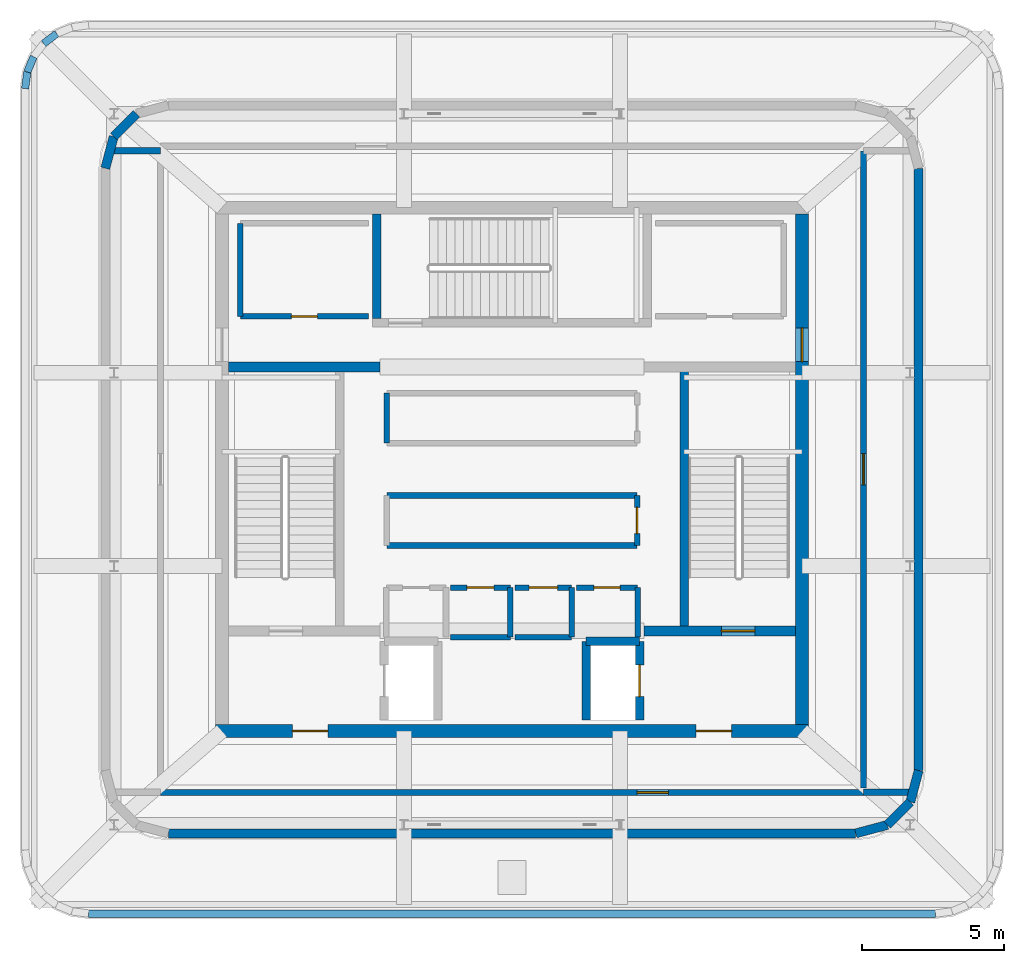
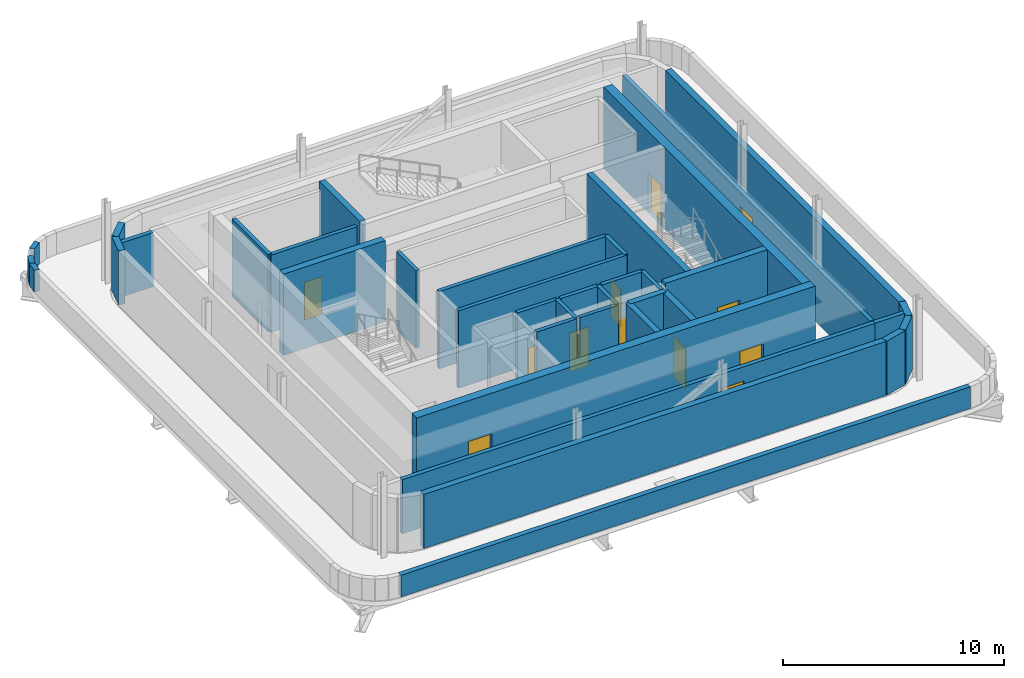
# One storey, part 3 of 5: 38 walls, 12 doors, 12 openings.
"""IFC4 building model written with IfcOpenShell, lengths in metres."""

from ifc_helpers import new_model, si_unit, direction, frame, frame_2d, origin, place, context, subcontext, project, spatial, rectangle, extrude, material, layer, layer_set, type_object, element, fill, save


model = new_model("IFC4")

# Units and contexts
model_context = context("Model", 3, precision=1e-05, world=origin(), true_north=direction((0.0, 1.0)))
body_context = subcontext(model_context, "Body", "Model", "MODEL_VIEW")
ifc_project = project(units=[si_unit("LENGTHUNIT", "METRE"), si_unit("AREAUNIT", "SQUARE_METRE"), si_unit("VOLUMEUNIT", "CUBIC_METRE"), si_unit("PLANEANGLEUNIT", "RADIAN"), si_unit("MASSUNIT", "GRAM", prefix="KILO")], contexts=[model_context])

# Site, building, storey
site_placement = place(None, origin())
site = spatial("IfcSite", under=ifc_project, at=site_placement, CompositionType="ELEMENT")
building_placement = place(site_placement, origin())
building = spatial("IfcBuilding", under=site, at=building_placement, Name="Punatoya Terracotta Tower", CompositionType="ELEMENT")
storey_placement = place(building_placement, frame((0.0, 0.0, 361.800048828125)))
storey = spatial("IfcBuildingStorey", under=building, at=storey_placement, Name="L85", CompositionType="ELEMENT", Elevation=361.800048828125)

# Wall, openings, doors
ifc_material_1 = material(Name="Concrete C50/60", Category="concrete")
ifc_layer_1 = layer(ifc_material_1, 0.449951171875)
ifc_layer_set_1 = layer_set([ifc_layer_1], Name="Concrete C50/60")
wall_type_1 = type_object("IfcWallType", Name="WL-COR-450", PredefinedType="SHEAR", material=ifc_layer_set_1)
wall_1_placement = place(storey_placement, frame((10.425048828125, -9.199951171875, 0.0), z_axis=(0.0, 0.0, 1.0), x_axis=(-1.0, 0.0, 0.0)))
wall_1 = element("IfcWall", 1, at=wall_1_placement, inside=storey, type_object=wall_type_1, Name="L85 Core Shear Wall S", PredefinedType="SHEAR", context=body_context, shape_type="SweptSolid", body=[
    extrude(rectangle(XDim=20.85009765625, YDim=0.449951171875, at=frame_2d((10.425048828125, 0.0))), origin(), (0.0, 0.0, 1.0), 4.5),
])
opening_1_placement = place(wall_1_placement, frame((2.699951171875, 0.0, 0.0)))
opening_1 = element("IfcOpeningElement", 2, at=opening_1_placement, cuts=wall_1, Name="Opening FD-L1", PredefinedType="OPENING", context=body_context, shape_type="SweptSolid", body=[
    extrude(rectangle(XDim=1.25, YDim=2.25, at=frame_2d((0.625, 1.125))), frame((0.0, 0.23486328125, 0.0), z_axis=(0.0, -1.0, 0.0), x_axis=(1.0, 0.0, 0.0)), (0.0, 0.0, 1.0), 0.469970703125),
])
opening_2_placement = place(wall_1_placement, frame((16.89990234375, 0.0, 0.0)))
opening_2 = element("IfcOpeningElement", 3, at=opening_2_placement, cuts=wall_1, Name="Opening FD-L1", PredefinedType="OPENING", context=body_context, shape_type="SweptSolid", body=[
    extrude(rectangle(XDim=1.25, YDim=2.25, at=frame_2d((0.625, 1.125))), frame((0.0, 0.23486328125, 0.0), z_axis=(0.0, -1.0, 0.0), x_axis=(1.0, 0.0, 0.0)), (0.0, 0.0, 1.0), 0.469970703125),
])
ifc_material_2 = material(Name="Galvanised Steel Smokeproof Fire Door", Category="steel")
door_type_1 = type_object("IfcDoorType", Name="DR-FFL-1250", OperationType="NOTDEFINED", PredefinedType="DOOR", material=ifc_material_2)
door_1_placement = place(opening_1_placement, origin())
door_1 = element("IfcDoor", 4, at=door_1_placement, inside=storey, type_object=door_type_1, Name="L85 East Firefighting Lobby Corridor Fire Door", OperationType="SINGLE_SWING_LEFT", OverallHeight=2.25, OverallWidth=1.25, PredefinedType="DOOR", context=body_context, shape_type="SweptSolid", body=[
    extrude(rectangle(XDim=1.25, YDim=2.25, at=frame_2d((0.625, 1.125))), frame((0.0, 0.02490234375, 0.0), z_axis=(0.0, -1.0, 0.0), x_axis=(1.0, 0.0, 0.0)), (0.0, 0.0, 1.0), 0.050048828125),
])
fill(opening_1, door_1)
door_2_placement = place(opening_2_placement, origin())
door_2 = element("IfcDoor", 5, at=door_2_placement, inside=storey, type_object=door_type_1, Name="L85 West Firefighting Lobby Corridor Fire Door", OperationType="SINGLE_SWING_RIGHT", OverallHeight=2.25, OverallWidth=1.25, PredefinedType="DOOR", context=body_context, shape_type="SweptSolid", body=[
    extrude(rectangle(XDim=1.25, YDim=2.25, at=frame_2d((0.625, 1.125))), frame((0.0, 0.02490234375, 0.0), z_axis=(0.0, -1.0, 0.0), x_axis=(1.0, 0.0, 0.0)), (0.0, 0.0, 1.0), 0.050048828125),
])
fill(opening_2, door_2)

# Wall, opening, door
wall_2_placement = place(storey_placement, frame((10.199951171875, 8.97509765625, 0.0), z_axis=(0.0, 0.0, 1.0), x_axis=(0.0, -1.0, 0.0)))
wall_2 = element("IfcWall", 6, at=wall_2_placement, inside=storey, type_object=wall_type_1, Name="L85 Core Shear Wall E", PredefinedType="SHEAR", context=body_context, shape_type="SweptSolid", body=[
    extrude(rectangle(XDim=17.9501953125, YDim=0.449951171875, at=frame_2d((8.97509765625, 0.0))), origin(), (0.0, 0.0, 1.0), 4.5),
])
opening_3_placement = place(wall_2_placement, frame((4.0048828125, 0.0, 0.0)))
opening_3 = element("IfcOpeningElement", 7, at=opening_3_placement, cuts=wall_2, Name="Opening SD-01", PredefinedType="OPENING", context=body_context, shape_type="SweptSolid", body=[
    extrude(rectangle(XDim=1.179931640625, YDim=2.199951171875, at=frame_2d((0.58984375, 1.10009765625))), frame((0.0, 0.23486328125, 0.0), z_axis=(0.0, -1.0, 0.0), x_axis=(1.0, 0.0, 0.0)), (0.0, 0.0, 1.0), 0.469970703125),
])
ifc_material_3 = material(Name="Galvanised Steel Pressurized Stair Fire Door", Category="steel")
door_type_2 = type_object("IfcDoorType", Name="DR-STR-1180", OperationType="NOTDEFINED", PredefinedType="DOOR", material=ifc_material_3)
door_3_placement = place(opening_3_placement, origin())
door_3 = element("IfcDoor", 8, at=door_3_placement, inside=storey, type_object=door_type_2, Name="L85 Central Lift Lobby East Fire Door", OperationType="SINGLE_SWING_RIGHT", OverallHeight=2.199951171875, OverallWidth=1.179931640625, PredefinedType="DOOR", context=body_context, shape_type="SweptSolid", body=[
    extrude(rectangle(XDim=1.179931640625, YDim=2.199951171875, at=frame_2d((0.58984375, 1.10009765625))), frame((0.0, 0.02490234375, 0.0), z_axis=(0.0, -1.0, 0.0), x_axis=(1.0, 0.0, 0.0)), (0.0, 0.0, 1.0), 0.050048828125),
])
fill(opening_3, door_3)

# Walls
ifc_material_4 = material(Name="Precast concrete C40/50", Category="concrete")
ifc_layer_2 = layer(ifc_material_4, 0.320068359375)
ifc_layer_set_2 = layer_set([ifc_layer_2], Name="Precast concrete C40/50")
wall_type_2 = type_object("IfcWallType", Name="WL-EXT-320", PredefinedType="SOLIDWALL", material=ifc_layer_set_2)
wall_3_placement = place(storey_placement, frame((-12.0869140625, -12.800048828125, 0.0), z_axis=(0.0, 0.0, 1.0), x_axis=(1.0, 0.0, 0.0)))
element("IfcWall", 9, at=wall_3_placement, inside=storey, type_object=wall_type_2, Name="L85 Terracotta Louvre Plant Enclosure S", PredefinedType="SOLIDWALL", context=body_context, shape_type="SweptSolid", body=[
    extrude(rectangle(XDim=24.173828125, YDim=0.320068359375, at=frame_2d((12.0869140625, 0.0))), origin(), (0.0, 0.0, 1.0), 2.993896484375),
])
wall_4_placement = place(storey_placement, frame((12.0869140625, -12.800048828125, 0.0), z_axis=(0.0, 0.0, 1.0), x_axis=(0.966336954372, 0.25727979053, 0.0)))
element("IfcWall", 10, at=wall_4_placement, inside=storey, type_object=wall_type_2, Name="L85 Rounded Terracotta Corner Pier 02", PredefinedType="SOLIDWALL", context=body_context, shape_type="SweptSolid", body=[
    extrude(rectangle(XDim=1.151123046875, YDim=0.320068359375, at=frame_2d((0.57568359375, 0.0))), origin(), (0.0, 0.0, 1.0), 2.993896484375),
])
wall_5_placement = place(storey_placement, frame((13.19921875, -12.50390625, 0.0), z_axis=(0.0, 0.0, 1.0), x_axis=(0.707106781187, 0.707106781187, 0.0)))
element("IfcWall", 11, at=wall_5_placement, inside=storey, type_object=wall_type_2, Name="L85 Rounded Terracotta Corner Pier 03", PredefinedType="SOLIDWALL", context=body_context, shape_type="SweptSolid", body=[
    extrude(rectangle(XDim=1.137939453125, YDim=0.320068359375, at=frame_2d((0.56884765625, 0.0))), origin(), (0.0, 0.0, 1.0), 2.993896484375),
])
wall_6_placement = place(storey_placement, frame((14.00390625, -11.69921875, 0.0), z_axis=(0.0, 0.0, 1.0), x_axis=(0.25727979053, 0.966336954372, 0.0)))
element("IfcWall", 12, at=wall_6_placement, inside=storey, type_object=wall_type_2, Name="L85 Rounded Terracotta Corner Pier 04", PredefinedType="SOLIDWALL", context=body_context, shape_type="SweptSolid", body=[
    extrude(rectangle(XDim=1.151123046875, YDim=0.320068359375, at=frame_2d((0.57568359375, 0.0))), origin(), (0.0, 0.0, 1.0), 2.993896484375),
])
wall_7_placement = place(storey_placement, frame((14.300048828125, -10.5869140625, 0.0), z_axis=(0.0, 0.0, 1.0), x_axis=(0.0, 1.0, 0.0)))
element("IfcWall", 13, at=wall_7_placement, inside=storey, type_object=wall_type_2, Name="L85 Terracotta Louvre Plant Enclosure E", PredefinedType="SOLIDWALL", context=body_context, shape_type="SweptSolid", body=[
    extrude(rectangle(XDim=21.173828125, YDim=0.320068359375, at=frame_2d((10.5869140625, 0.0))), origin(), (0.0, 0.0, 1.0), 2.993896484375),
])
wall_8_placement = place(storey_placement, frame((-13.19921875, 12.50390625, 0.0), z_axis=(0.0, 0.0, 1.0), x_axis=(-0.707106781187, -0.707106781187, 0.0)))
element("IfcWall", 14, at=wall_8_placement, inside=storey, type_object=wall_type_2, Name="L85 Rounded Terracotta Corner Pier 11", PredefinedType="SOLIDWALL", context=body_context, shape_type="SweptSolid", body=[
    extrude(rectangle(XDim=1.137939453125, YDim=0.320068359375, at=frame_2d((0.56884765625, 0.0))), origin(), (0.0, 0.0, 1.0), 2.993896484375),
])
wall_9_placement = place(storey_placement, frame((-14.00390625, 11.69921875, 0.0), z_axis=(0.0, 0.0, 1.0), x_axis=(-0.25727979053, -0.966336954372, 0.0)))
element("IfcWall", 15, at=wall_9_placement, inside=storey, type_object=wall_type_2, Name="L85 Rounded Terracotta Corner Pier 12", PredefinedType="SOLIDWALL", context=body_context, shape_type="SweptSolid", body=[
    extrude(rectangle(XDim=1.151123046875, YDim=0.320068359375, at=frame_2d((0.57568359375, 0.0))), origin(), (0.0, 0.0, 1.0), 2.993896484375),
])

# Wall, opening, door
ifc_material_5 = material(Name="Concrete C40/50", Category="concrete")
ifc_layer_3 = layer(ifc_material_5, 0.219970703125)
ifc_layer_set_3 = layer_set([ifc_layer_3], Name="Concrete C40/50")
wall_type_3 = type_object("IfcWallType", Name="WL-FIR-220", PredefinedType="SOLIDWALL", material=ifc_layer_set_3)
wall_10_placement = place(storey_placement, frame((-12.360107421875, -11.360107421875, 0.0), z_axis=(0.0, 0.0, 1.0), x_axis=(1.0, 0.0, 0.0)))
wall_10 = element("IfcWall", 16, at=wall_10_placement, inside=storey, type_object=wall_type_3, Name="L85 Crown South Heat-Rejection and Cooling-Tower Plant Partition 27", PredefinedType="SOLIDWALL", context=body_context, shape_type="SweptSolid", body=[
    extrude(rectangle(XDim=24.72021484375, YDim=0.219970703125, at=frame_2d((12.360107421875, 0.0))), origin(), (0.0, 0.0, 1.0), 2.993896484375),
])
opening_4_placement = place(wall_10_placement, frame((16.760009765625, 0.0, 0.0)))
opening_4 = element("IfcOpeningElement", 17, at=opening_4_placement, cuts=wall_10, Name="Opening FD-P1", PredefinedType="OPENING", context=body_context, shape_type="SweptSolid", body=[
    extrude(rectangle(XDim=1.10009765625, YDim=2.199951171875, at=frame_2d((0.550048828125, 1.10009765625))), frame((0.0, 0.119873046875, 0.0), z_axis=(0.0, -1.0, 0.0), x_axis=(1.0, 0.0, 0.0)), (0.0, 0.0, 1.0), 0.239990234375),
])
ifc_material_6 = material(Name="Galvanised Steel Plant Fire Door", Category="steel")
door_type_3 = type_object("IfcDoorType", Name="DR-PLT-1100", OperationType="NOTDEFINED", PredefinedType="DOOR", material=ifc_material_6)
door_4_placement = place(opening_4_placement, origin())
door_4 = element("IfcDoor", 18, at=door_4_placement, inside=storey, type_object=door_type_3, Name="L85 Crown South Heat-Rejection and Cooling-Tower Plant Fire Door", OperationType="SINGLE_SWING_LEFT", OverallHeight=2.199951171875, OverallWidth=1.10009765625, PredefinedType="DOOR", context=body_context, shape_type="SweptSolid", body=[
    extrude(rectangle(XDim=1.10009765625, YDim=2.199951171875, at=frame_2d((0.550048828125, 1.10009765625))), frame((0.0, 0.02490234375, 0.0), z_axis=(0.0, -1.0, 0.0), x_axis=(1.0, 0.0, 0.0)), (0.0, 0.0, 1.0), 0.050048828125),
])
fill(opening_4, door_4)

# Walls
wall_11_placement = place(storey_placement, frame((12.360107421875, -11.35009765625, 0.0), z_axis=(0.0, 0.0, 1.0), x_axis=(1.0, 0.0, 0.0)))
element("IfcWall", 19, at=wall_11_placement, inside=storey, type_object=wall_type_3, Name="L85 Crown South Heat-Rejection and Cooling-Tower Plant Partition 28", PredefinedType="SOLIDWALL", context=body_context, shape_type="SweptSolid", body=[
    extrude(rectangle(XDim=1.7666015625, YDim=0.219970703125, at=frame_2d((0.88330078125, 0.0))), origin(), (0.0, 0.0, 1.0), 2.993896484375),
])
wall_12_placement = place(storey_placement, frame((-14.18896484375, 11.199951171875, 0.0), z_axis=(0.0, 0.0, 1.0), x_axis=(1.0, 0.0, 0.0)))
element("IfcWall", 20, at=wall_12_placement, inside=storey, type_object=wall_type_3, Name="L85 Crown West Smoke-Extract and Fan Plant Room Partition 29", PredefinedType="SOLIDWALL", context=body_context, shape_type="SweptSolid", body=[
    extrude(rectangle(XDim=1.828857421875, YDim=0.219970703125, at=frame_2d((0.91455078125, 0.0))), origin(), (0.0, 0.0, 1.0), 2.993896484375),
])

# Wall, opening, door
wall_13_placement = place(storey_placement, frame((12.360107421875, -11.199951171875, 0.0), z_axis=(0.0, 0.0, 1.0), x_axis=(0.0, 1.0, 0.0)))
wall_13 = element("IfcWall", 21, at=wall_13_placement, inside=storey, type_object=wall_type_3, Name="L85 Crown East Lift Machine and BMS Control Plant Partition 31", PredefinedType="SOLIDWALL", context=body_context, shape_type="SweptSolid", body=[
    extrude(rectangle(XDim=22.39990234375, YDim=0.219970703125, at=frame_2d((11.199951171875, 0.0))), origin(), (0.0, 0.0, 1.0), 2.993896484375),
])
opening_5_placement = place(wall_13_placement, frame((10.64990234375, 0.0, 0.0)))
opening_5 = element("IfcOpeningElement", 22, at=opening_5_placement, cuts=wall_13, Name="Opening FD-P1", PredefinedType="OPENING", context=body_context, shape_type="SweptSolid", body=[
    extrude(rectangle(XDim=1.10009765625, YDim=2.199951171875, at=frame_2d((0.550048828125, 1.10009765625))), frame((0.0, 0.119873046875, 0.0), z_axis=(0.0, -1.0, 0.0), x_axis=(1.0, 0.0, 0.0)), (0.0, 0.0, 1.0), 0.239990234375),
])
door_5_placement = place(opening_5_placement, origin())
door_5 = element("IfcDoor", 23, at=door_5_placement, inside=storey, type_object=door_type_3, Name="L85 Crown East Lift Machine and BMS Control Plant Fire Door", OperationType="SINGLE_SWING_LEFT", OverallHeight=2.199951171875, OverallWidth=1.10009765625, PredefinedType="DOOR", context=body_context, shape_type="SweptSolid", body=[
    extrude(rectangle(XDim=1.10009765625, YDim=2.199951171875, at=frame_2d((0.550048828125, 1.10009765625))), frame((0.0, 0.02490234375, 0.0), z_axis=(0.0, -1.0, 0.0), x_axis=(1.0, 0.0, 0.0)), (0.0, 0.0, 1.0), 0.050048828125),
])
fill(opening_5, door_5)

# Wall
ifc_layer_4 = layer(ifc_material_5, 0.199951171875)
ifc_layer_set_4 = layer_set([ifc_layer_4], Name="Concrete C40/50")
wall_type_4 = type_object("IfcWallType", Name="WL-INT-200", PredefinedType="SOLIDWALL", material=ifc_layer_set_4)
wall_14_placement = place(storey_placement, frame((-0.06005859375, -5.89990234375, 0.0), z_axis=(0.0, 0.0, 1.0), x_axis=(0.0, 1.0, 0.0)))
element("IfcWall", 24, at=wall_14_placement, inside=storey, type_object=wall_type_4, Name="L85 Staff Female Washroom Partition 04", PredefinedType="SOLIDWALL", context=body_context, shape_type="SweptSolid", body=[
    extrude(rectangle(XDim=1.739990234375, YDim=0.199951171875, at=frame_2d((0.8701171875, 0.0))), origin(), (0.0, 0.0, 1.0), 4.280029296875),
])

# Wall, opening, door
wall_15_placement = place(storey_placement, frame((-0.06005859375, -4.159912109375, 0.0), z_axis=(0.0, 0.0, 1.0), x_axis=(-1.0, 0.0, 0.0)))
wall_15 = element("IfcWall", 25, at=wall_15_placement, inside=storey, type_object=wall_type_4, Name="L85 Staff Female Washroom Partition 05", PredefinedType="SOLIDWALL", context=body_context, shape_type="SweptSolid", body=[
    extrude(rectangle(XDim=2.099853515625, YDim=0.199951171875, at=frame_2d((1.0498046875, 0.0))), origin(), (0.0, 0.0, 1.0), 4.280029296875),
])
opening_6_placement = place(wall_15_placement, frame((0.574951171875, 0.0, 0.0)))
opening_6 = element("IfcOpeningElement", 26, at=opening_6_placement, cuts=wall_15, Name="Opening WD-01", PredefinedType="OPENING", context=body_context, shape_type="SweptSolid", body=[
    extrude(rectangle(XDim=0.949951171875, YDim=2.14990234375, at=frame_2d((0.47509765625, 1.074951171875))), frame((0.0, 0.10986328125, 0.0), z_axis=(0.0, -1.0, 0.0), x_axis=(1.0, 0.0, 0.0)), (0.0, 0.0, 1.0), 0.219970703125),
])
ifc_material_7 = material(Name="Moisture-Resistant Laminate Timber Leaf", Category="wood")
door_type_4 = type_object("IfcDoorType", Name="DR-WC-950", OperationType="NOTDEFINED", PredefinedType="DOOR", material=ifc_material_7)
door_6_placement = place(opening_6_placement, origin())
door_6 = element("IfcDoor", 27, at=door_6_placement, inside=storey, type_object=door_type_4, Name="L85 Staff Female Washroom Door", OperationType="SINGLE_SWING_RIGHT", OverallHeight=2.14990234375, OverallWidth=0.949951171875, PredefinedType="DOOR", context=body_context, shape_type="SweptSolid", body=[
    extrude(rectangle(XDim=0.949951171875, YDim=2.14990234375, at=frame_2d((0.47509765625, 1.074951171875))), frame((0.0, 0.02490234375, 0.0), z_axis=(0.0, -1.0, 0.0), x_axis=(1.0, 0.0, 0.0)), (0.0, 0.0, 1.0), 0.050048828125),
])
fill(opening_6, door_6)

# Walls
wall_16_placement = place(storey_placement, frame((-2.159912109375, -5.89990234375, 0.0), z_axis=(0.0, 0.0, 1.0), x_axis=(1.0, 0.0, 0.0)))
element("IfcWall", 28, at=wall_16_placement, inside=storey, type_object=wall_type_4, Name="L85 Staff Female Washroom Partition 06", PredefinedType="SOLIDWALL", context=body_context, shape_type="SweptSolid", body=[
    extrude(rectangle(XDim=2.099853515625, YDim=0.199951171875, at=frame_2d((1.0498046875, 0.0))), origin(), (0.0, 0.0, 1.0), 4.280029296875),
])
wall_17_placement = place(storey_placement, frame((2.10009765625, -5.89990234375, 0.0), z_axis=(0.0, 0.0, 1.0), x_axis=(0.0, 1.0, 0.0)))
element("IfcWall", 29, at=wall_17_placement, inside=storey, type_object=wall_type_4, Name="L85 Accessible Universal Washroom Partition 07", PredefinedType="SOLIDWALL", context=body_context, shape_type="SweptSolid", body=[
    extrude(rectangle(XDim=1.739990234375, YDim=0.199951171875, at=frame_2d((0.8701171875, 0.0))), origin(), (0.0, 0.0, 1.0), 4.280029296875),
])

# Wall, opening, door
wall_18_placement = place(storey_placement, frame((2.10009765625, -4.159912109375, 0.0), z_axis=(0.0, 0.0, 1.0), x_axis=(-1.0, 0.0, 0.0)))
wall_18 = element("IfcWall", 30, at=wall_18_placement, inside=storey, type_object=wall_type_4, Name="L85 Accessible Universal Washroom Partition 08", PredefinedType="SOLIDWALL", context=body_context, shape_type="SweptSolid", body=[
    extrude(rectangle(XDim=2.0, YDim=0.199951171875, at=frame_2d((1.0, 0.0))), origin(), (0.0, 0.0, 1.0), 4.280029296875),
])
opening_7_placement = place(wall_18_placement, frame((0.5, 0.0, 0.0)))
opening_7 = element("IfcOpeningElement", 31, at=opening_7_placement, cuts=wall_18, Name="Opening AWD-1", PredefinedType="OPENING", context=body_context, shape_type="SweptSolid", body=[
    extrude(rectangle(XDim=1.0, YDim=2.14990234375, at=frame_2d((0.5, 1.074951171875))), frame((0.0, 0.10986328125, 0.0), z_axis=(0.0, -1.0, 0.0), x_axis=(1.0, 0.0, 0.0)), (0.0, 0.0, 1.0), 0.219970703125),
])
ifc_material_8 = material(Name="Bengal Teak Accessible WC Leaf")
door_type_5 = type_object("IfcDoorType", Name="DR-ACC-1000", OperationType="NOTDEFINED", PredefinedType="DOOR", material=ifc_material_8)
door_7_placement = place(opening_7_placement, origin())
door_7 = element("IfcDoor", 32, at=door_7_placement, inside=storey, type_object=door_type_5, Name="L85 Accessible Universal Washroom Door", OperationType="SINGLE_SWING_LEFT", OverallHeight=2.14990234375, OverallWidth=1.0, PredefinedType="DOOR", context=body_context, shape_type="SweptSolid", body=[
    extrude(rectangle(XDim=1.0, YDim=2.14990234375, at=frame_2d((0.5, 1.074951171875))), frame((0.0, 0.02490234375, 0.0), z_axis=(0.0, -1.0, 0.0), x_axis=(1.0, 0.0, 0.0)), (0.0, 0.0, 1.0), 0.050048828125),
])
fill(opening_7, door_7)

# Walls
wall_19_placement = place(storey_placement, frame((0.10009765625, -5.89990234375, 0.0), z_axis=(0.0, 0.0, 1.0), x_axis=(1.0, 0.0, 0.0)))
element("IfcWall", 33, at=wall_19_placement, inside=storey, type_object=wall_type_4, Name="L85 Accessible Universal Washroom Partition 09", PredefinedType="SOLIDWALL", context=body_context, shape_type="SweptSolid", body=[
    extrude(rectangle(XDim=2.0, YDim=0.199951171875, at=frame_2d((1.0, 0.0))), origin(), (0.0, 0.0, 1.0), 4.280029296875),
])
wall_20_placement = place(storey_placement, frame((4.419921875, -5.89990234375, 0.0), z_axis=(0.0, 0.0, 1.0), x_axis=(0.0, 1.0, 0.0)))
element("IfcWall", 34, at=wall_20_placement, inside=storey, type_object=wall_type_4, Name="L85 Core Electrical Switchgear Room Partition 10", PredefinedType="SOLIDWALL", context=body_context, shape_type="SweptSolid", body=[
    extrude(rectangle(XDim=1.739990234375, YDim=0.199951171875, at=frame_2d((0.8701171875, 0.0))), origin(), (0.0, 0.0, 1.0), 4.280029296875),
])

# Wall, opening, door
wall_21_placement = place(storey_placement, frame((4.419921875, -4.159912109375, 0.0), z_axis=(0.0, 0.0, 1.0), x_axis=(-1.0, 0.0, 0.0)))
wall_21 = element("IfcWall", 35, at=wall_21_placement, inside=storey, type_object=wall_type_4, Name="L85 Core Electrical Switchgear Room Partition 11", PredefinedType="SOLIDWALL", context=body_context, shape_type="SweptSolid", body=[
    extrude(rectangle(XDim=2.159912109375, YDim=0.199951171875, at=frame_2d((1.080078125, 0.0))), origin(), (0.0, 0.0, 1.0), 4.280029296875),
])
opening_8_placement = place(wall_21_placement, frame((0.6201171875, 0.0, 0.0)))
opening_8 = element("IfcOpeningElement", 36, at=opening_8_placement, cuts=wall_21, Name="Opening FD-R1", PredefinedType="OPENING", context=body_context, shape_type="SweptSolid", body=[
    extrude(rectangle(XDim=0.919921875, YDim=2.10009765625, at=frame_2d((0.4599609375, 1.050048828125))), frame((0.0, 0.10986328125, 0.0), z_axis=(0.0, -1.0, 0.0), x_axis=(1.0, 0.0, 0.0)), (0.0, 0.0, 1.0), 0.219970703125),
])
ifc_material_9 = material(Name="Galvanised Steel Riser Fire Access Door", Category="steel")
door_type_6 = type_object("IfcDoorType", Name="DR-RSR-920", OperationType="NOTDEFINED", PredefinedType="DOOR", material=ifc_material_9)
door_8_placement = place(opening_8_placement, origin())
door_8 = element("IfcDoor", 37, at=door_8_placement, inside=storey, type_object=door_type_6, Name="L85 Core Electrical Switchgear Room Fire Door", OperationType="SINGLE_SWING_RIGHT", OverallHeight=2.10009765625, OverallWidth=0.919921875, PredefinedType="DOOR", context=body_context, shape_type="SweptSolid", body=[
    extrude(rectangle(XDim=0.919921875, YDim=2.10009765625, at=frame_2d((0.4599609375, 1.050048828125))), frame((0.0, 0.02490234375, 0.0), z_axis=(0.0, -1.0, 0.0), x_axis=(1.0, 0.0, 0.0)), (0.0, 0.0, 1.0), 0.050048828125),
])
fill(opening_8, door_8)

wall_22_placement = place(storey_placement, frame((4.39990234375, -2.679931640625, 0.0), z_axis=(0.0, 0.0, 1.0), x_axis=(0.0, 1.0, 0.0)))
wall_22 = element("IfcWall", 38, at=wall_22_placement, inside=storey, type_object=wall_type_4, Name="L85 Crown Emergency Power Switchroom Partition 12", PredefinedType="SOLIDWALL", context=body_context, shape_type="SweptSolid", body=[
    extrude(rectangle(XDim=1.760009765625, YDim=0.199951171875, at=frame_2d((0.8798828125, 0.0))), origin(), (0.0, 0.0, 1.0), 4.280029296875),
])
opening_9_placement = place(wall_22_placement, frame((0.419921875, 0.0, 0.0)))
opening_9 = element("IfcOpeningElement", 39, at=opening_9_placement, cuts=wall_22, Name="Opening FD-R1", PredefinedType="OPENING", context=body_context, shape_type="SweptSolid", body=[
    extrude(rectangle(XDim=0.919921875, YDim=2.10009765625, at=frame_2d((0.4599609375, 1.050048828125))), frame((0.0, 0.10986328125, 0.0), z_axis=(0.0, -1.0, 0.0), x_axis=(1.0, 0.0, 0.0)), (0.0, 0.0, 1.0), 0.219970703125),
])
door_9_placement = place(opening_9_placement, origin())
door_9 = element("IfcDoor", 40, at=door_9_placement, inside=storey, type_object=door_type_6, Name="L85 Crown Emergency Power Switchroom Fire Door", OperationType="SINGLE_SWING_LEFT", OverallHeight=2.10009765625, OverallWidth=0.919921875, PredefinedType="DOOR", context=body_context, shape_type="SweptSolid", body=[
    extrude(rectangle(XDim=0.919921875, YDim=2.10009765625, at=frame_2d((0.4599609375, 1.050048828125))), frame((0.0, 0.02490234375, 0.0), z_axis=(0.0, -1.0, 0.0), x_axis=(1.0, 0.0, 0.0)), (0.0, 0.0, 1.0), 0.050048828125),
])
fill(opening_9, door_9)

# Walls
for number, where, z_axis, x_axis, name in (
    (41, (4.39990234375, -0.919921875, 0.0), (0.0, 0.0, 1.0), (-1.0, 0.0, 0.0), "L85 Crown Emergency Power Switchroom Partition 13"),
    (42, (-4.39990234375, -2.679931640625, 0.0), (0.0, 0.0, 1.0), (1.0, 0.0, 0.0), "L85 Crown Emergency Power Switchroom Partition 15"),
):
    element("IfcWall", number, at=place(storey_placement, frame(where, z_axis=z_axis, x_axis=x_axis)), inside=storey, type_object=wall_type_4, Name=name, PredefinedType="SOLIDWALL", context=body_context, shape_type="SweptSolid", body=[
        extrude(rectangle(XDim=8.7998046875, YDim=0.199951171875, at=frame_2d((4.39990234375, 0.0))), origin(), (0.0, 0.0, 1.0), 4.280029296875),
    ])
wall_23_placement = place(storey_placement, frame((-4.39990234375, 2.679931640625, 0.0), z_axis=(0.0, 0.0, 1.0), x_axis=(0.0, -1.0, 0.0)))
element("IfcWall", 43, at=wall_23_placement, inside=storey, type_object=wall_type_4, Name="L85 Crown Stair Pressurization Fan Room Partition 18", PredefinedType="SOLIDWALL", context=body_context, shape_type="SweptSolid", body=[
    extrude(rectangle(XDim=1.760009765625, YDim=0.199951171875, at=frame_2d((0.8798828125, 0.0))), origin(), (0.0, 0.0, 1.0), 4.280029296875),
])
wall_24_placement = place(storey_placement, frame((-9.550048828125, 8.64990234375, 0.0), z_axis=(0.0, 0.0, 1.0), x_axis=(0.0, -1.0, 0.0)))
element("IfcWall", 44, at=wall_24_placement, inside=storey, type_object=wall_type_4, Name="L85 West Duct Riser Partition 21", PredefinedType="SOLIDWALL", context=body_context, shape_type="SweptSolid", body=[
    extrude(rectangle(XDim=3.27001953125, YDim=0.199951171875, at=frame_2d((1.635009765625, 0.0))), origin(), (0.0, 0.0, 1.0), 4.280029296875),
])

# Wall, opening, door
wall_25_placement = place(storey_placement, frame((-9.550048828125, 5.3798828125, 0.0), z_axis=(0.0, 0.0, 1.0), x_axis=(1.0, 0.0, 0.0)))
wall_25 = element("IfcWall", 45, at=wall_25_placement, inside=storey, type_object=wall_type_4, Name="L85 West Duct Riser Partition 22", PredefinedType="SOLIDWALL", context=body_context, shape_type="SweptSolid", body=[
    extrude(rectangle(XDim=4.5, YDim=0.199951171875, at=frame_2d((2.25, 0.0))), origin(), (0.0, 0.0, 1.0), 4.280029296875),
])
opening_10_placement = place(wall_25_placement, frame((1.7900390625, 0.0, 0.0)))
opening_10 = element("IfcOpeningElement", 46, at=opening_10_placement, cuts=wall_25, Name="Opening FD-R1", PredefinedType="OPENING", context=body_context, shape_type="SweptSolid", body=[
    extrude(rectangle(XDim=0.919921875, YDim=2.10009765625, at=frame_2d((0.4599609375, 1.050048828125))), frame((0.0, 0.10986328125, 0.0), z_axis=(0.0, -1.0, 0.0), x_axis=(1.0, 0.0, 0.0)), (0.0, 0.0, 1.0), 0.219970703125),
])
door_10_placement = place(opening_10_placement, origin())
door_10 = element("IfcDoor", 47, at=door_10_placement, inside=storey, type_object=door_type_6, Name="L85 West Duct Riser Fire Door", OperationType="SINGLE_SWING_LEFT", OverallHeight=2.10009765625, OverallWidth=0.919921875, PredefinedType="DOOR", context=body_context, shape_type="SweptSolid", body=[
    extrude(rectangle(XDim=0.919921875, YDim=2.10009765625, at=frame_2d((0.4599609375, 1.050048828125))), frame((0.0, 0.02490234375, 0.0), z_axis=(0.0, -1.0, 0.0), x_axis=(1.0, 0.0, 0.0)), (0.0, 0.0, 1.0), 0.050048828125),
])
fill(opening_10, door_10)

# Walls
ifc_layer_5 = layer(ifc_material_4, 0.260009765625)
ifc_layer_set_5 = layer_set([ifc_layer_5], Name="Precast concrete C40/50")
wall_type_5 = type_object("IfcWallType", Name="WL-PAR-260", PredefinedType="PARAPET", material=ifc_layer_set_5)
for number, where, z_axis, x_axis, name in (
    (48, (-16.00927734375, 15.3212890625, 0.0), (0.0, 0.0, 1.0), (-0.7933756116, -0.608732403374, 0.0), "L85 Roof Parapet Wall PAR-L85-STEP-17"),
    (49, (-16.8212890625, 14.50927734375, 0.0), (0.0, 0.0, 1.0), (-0.382339381785, -0.924021967886, 0.0), "L85 Roof Parapet Wall PAR-L85-STEP-19"),
):
    element("IfcWall", number, at=place(storey_placement, frame(where, z_axis=z_axis, x_axis=x_axis)), inside=storey, type_object=wall_type_5, Name=name, PredefinedType="PARAPET", context=body_context, shape_type="SweptSolid", body=[
        extrude(rectangle(XDim=0.5791015625, YDim=0.260009765625, at=frame_2d((0.28955078125, 0.0))), origin(), (0.0, 0.0, 1.0), 1.199951171875),
    ])
wall_26_placement = place(storey_placement, frame((-17.042724609375, 13.97412109375, 0.0), z_axis=(0.0, 0.0, 1.0), x_axis=(-0.130946029567, -0.991389498301, 0.0)))
element("IfcWall", 50, at=wall_26_placement, inside=storey, type_object=wall_type_5, Name="L85 Roof Parapet Wall PAR-L85-STEP-20", PredefinedType="PARAPET", context=body_context, shape_type="SweptSolid", body=[
    extrude(rectangle(XDim=0.591064453125, YDim=0.260009765625, at=frame_2d((0.29541015625, 0.0))), origin(), (0.0, 0.0, 1.0), 1.199951171875),
])
wall_27_placement = place(storey_placement, frame((-14.88818359375, -15.6201171875, 0.0), z_axis=(0.0, 0.0, 1.0), x_axis=(1.0, 0.0, 0.0)))
element("IfcWall", 51, at=wall_27_placement, inside=storey, type_object=wall_type_5, Name="L85 Roof Parapet Wall PAR-L85-STEP-28", PredefinedType="PARAPET", context=body_context, shape_type="SweptSolid", body=[
    extrude(rectangle(XDim=29.7763671875, YDim=0.260009765625, at=frame_2d((14.88818359375, 0.0))), origin(), (0.0, 0.0, 1.0), 1.199951171875),
])
ifc_layer_6 = layer(ifc_material_5, 0.300048828125)
ifc_layer_set_6 = layer_set([ifc_layer_6], Name="Concrete C40/50")
wall_type_6 = type_object("IfcWallType", Name="WL-SHF-300", PredefinedType="SOLIDWALL", material=ifc_layer_set_6)
wall_28_placement = place(storey_placement, frame((6.050048828125, 3.449951171875, 0.0), z_axis=(0.0, 0.0, 1.0), x_axis=(0.0, -1.0, 0.0)))
element("IfcWall", 52, at=wall_28_placement, inside=storey, type_object=wall_type_6, Name="L85 Structural Stair Shaft Wall SW-ST2-W", PredefinedType="SOLIDWALL", context=body_context, shape_type="SweptSolid", body=[
    extrude(rectangle(XDim=8.949951171875, YDim=0.300048828125, at=frame_2d((4.47509765625, 0.0))), origin(), (0.0, 0.0, 1.0), 4.5),
])
wall_29_placement = place(storey_placement, frame((-4.75, 5.300048828125, 0.0), z_axis=(0.0, 0.0, 1.0), x_axis=(0.0, 1.0, 0.0)))
element("IfcWall", 53, at=wall_29_placement, inside=storey, type_object=wall_type_6, Name="L85 Structural Stair Shaft Wall SW-ST3-W", PredefinedType="SOLIDWALL", context=body_context, shape_type="SweptSolid", body=[
    extrude(rectangle(XDim=3.675048828125, YDim=0.300048828125, at=frame_2d((1.83740234375, 0.0))), origin(), (0.0, 0.0, 1.0), 4.5),
])

# Wall, opening, door
wall_30_placement = place(storey_placement, frame((4.489990234375, -8.820068359375, 0.0), z_axis=(0.0, 0.0, 1.0), x_axis=(0.0, 1.0, 0.0)))
wall_30 = element("IfcWall", 54, at=wall_30_placement, inside=storey, type_object=wall_type_6, Name="L85 FFL-2 Front Hoistway Wall", PredefinedType="SOLIDWALL", context=body_context, shape_type="SweptSolid", body=[
    extrude(rectangle(XDim=2.77001953125, YDim=0.300048828125, at=frame_2d((1.385009765625, 0.0))), origin(), (0.0, 0.0, 1.0), 4.280029296875),
])
opening_11_placement = place(wall_30_placement, frame((0.824951171875, 0.0, 0.0)))
opening_11 = element("IfcOpeningElement", 55, at=opening_11_placement, cuts=wall_30, Name="Opening LD-02", PredefinedType="OPENING", context=body_context, shape_type="SweptSolid", body=[
    extrude(rectangle(XDim=1.1201171875, YDim=2.25, at=frame_2d((0.56005859375, 1.125))), frame((0.0, 0.159912109375, 0.0), z_axis=(0.0, -1.0, 0.0), x_axis=(1.0, 0.0, 0.0)), (0.0, 0.0, 1.0), 0.320068359375),
])
ifc_material_10 = material(Name="Stainless Steel Lift Landing Door", Category="steel")
door_type_7 = type_object("IfcDoorType", Name="DR-LND-1120", OperationType="NOTDEFINED", PredefinedType="DOOR", material=ifc_material_10)
door_11_placement = place(opening_11_placement, origin())
door_11 = element("IfcDoor", 56, at=door_11_placement, inside=storey, type_object=door_type_7, Name="L85 Firefighting Lift FFL-2 Sliding Landing Door", OperationType="SLIDING_TO_RIGHT", OverallHeight=2.25, OverallWidth=1.1201171875, PredefinedType="DOOR", context=body_context, shape_type="SweptSolid", body=[
    extrude(rectangle(XDim=1.1201171875, YDim=2.25, at=frame_2d((0.56005859375, 1.125))), frame((0.0, 0.02490234375, 0.0), z_axis=(0.0, -1.0, 0.0), x_axis=(1.0, 0.0, 0.0)), (0.0, 0.0, 1.0), 0.050048828125),
])
fill(opening_11, door_11)

# Walls
wall_31_placement = place(storey_placement, frame((2.610107421875, -8.820068359375, 0.0), z_axis=(0.0, 0.0, 1.0), x_axis=(0.0, 1.0, 0.0)))
element("IfcWall", 57, at=wall_31_placement, inside=storey, type_object=wall_type_6, Name="L85 FFL-2 Rear Hoistway Wall", PredefinedType="SOLIDWALL", context=body_context, shape_type="SweptSolid", body=[
    extrude(rectangle(XDim=2.77001953125, YDim=0.300048828125, at=frame_2d((1.385009765625, 0.0))), origin(), (0.0, 0.0, 1.0), 4.280029296875),
])
wall_32_placement = place(storey_placement, frame((2.610107421875, -6.050048828125, 0.0), z_axis=(0.0, 0.0, 1.0), x_axis=(1.0, 0.0, 0.0)))
element("IfcWall", 58, at=wall_32_placement, inside=storey, type_object=wall_type_6, Name="L85 FFL-2 North Hoistway Wall", PredefinedType="SOLIDWALL", context=body_context, shape_type="SweptSolid", body=[
    extrude(rectangle(XDim=1.8798828125, YDim=0.300048828125, at=frame_2d((0.93994140625, 0.0))), origin(), (0.0, 0.0, 1.0), 4.280029296875),
])

# Wall, opening, door
ifc_layer_7 = layer(ifc_material_1, 0.35009765625)
ifc_layer_set_7 = layer_set([ifc_layer_7], Name="Concrete C50/60")
wall_type_7 = type_object("IfcWallType", Name="WL-SHF-350", PredefinedType="SOLIDWALL", material=ifc_layer_set_7)
wall_33_placement = place(storey_placement, frame((4.64990234375, -5.679931640625, 0.0), z_axis=(0.0, 0.0, 1.0), x_axis=(1.0, 0.0, 0.0)))
wall_33 = element("IfcWall", 59, at=wall_33_placement, inside=storey, type_object=wall_type_7, Name="L85 Core Web Wall CSW-R", PredefinedType="SOLIDWALL", context=body_context, shape_type="SweptSolid", body=[
    extrude(rectangle(XDim=5.3251953125, YDim=0.35009765625, at=frame_2d((2.66259765625, 0.0))), origin(), (0.0, 0.0, 1.0), 4.5),
])
opening_12_placement = place(wall_33_placement, frame((2.7099609375, 0.0, 0.0)))
opening_12 = element("IfcOpeningElement", 60, at=opening_12_placement, cuts=wall_33, Name="Opening SD-01", PredefinedType="OPENING", context=body_context, shape_type="SweptSolid", body=[
    extrude(rectangle(XDim=1.179931640625, YDim=2.199951171875, at=frame_2d((0.58984375, 1.10009765625))), frame((0.0, 0.18505859375, 0.0), z_axis=(0.0, -1.0, 0.0), x_axis=(1.0, 0.0, 0.0)), (0.0, 0.0, 1.0), 0.3701171875),
])
door_12_placement = place(opening_12_placement, origin())
door_12 = element("IfcDoor", 61, at=door_12_placement, inside=storey, type_object=door_type_2, Name="L85 Stair ST-2 Smokeproof Lobby Fire Door", OperationType="SINGLE_SWING_RIGHT", OverallHeight=2.199951171875, OverallWidth=1.179931640625, PredefinedType="DOOR", context=body_context, shape_type="SweptSolid", body=[
    extrude(rectangle(XDim=1.179931640625, YDim=2.199951171875, at=frame_2d((0.58984375, 1.10009765625))), frame((0.0, 0.02490234375, 0.0), z_axis=(0.0, -1.0, 0.0), x_axis=(1.0, 0.0, 0.0)), (0.0, 0.0, 1.0), 0.050048828125),
])
fill(opening_12, door_12)

# Wall
wall_34_placement = place(storey_placement, frame((-9.97509765625, 3.60009765625, 0.0), z_axis=(0.0, 0.0, 1.0), x_axis=(1.0, 0.0, 0.0)))
element("IfcWall", 62, at=wall_34_placement, inside=storey, type_object=wall_type_7, Name="L85 Core Web Wall CNW-L", PredefinedType="SOLIDWALL", context=body_context, shape_type="SweptSolid", body=[
    extrude(rectangle(XDim=5.3251953125, YDim=0.35009765625, at=frame_2d((2.66259765625, 0.0))), origin(), (0.0, 0.0, 1.0), 4.5),
])

save(model, "model.ifc")
